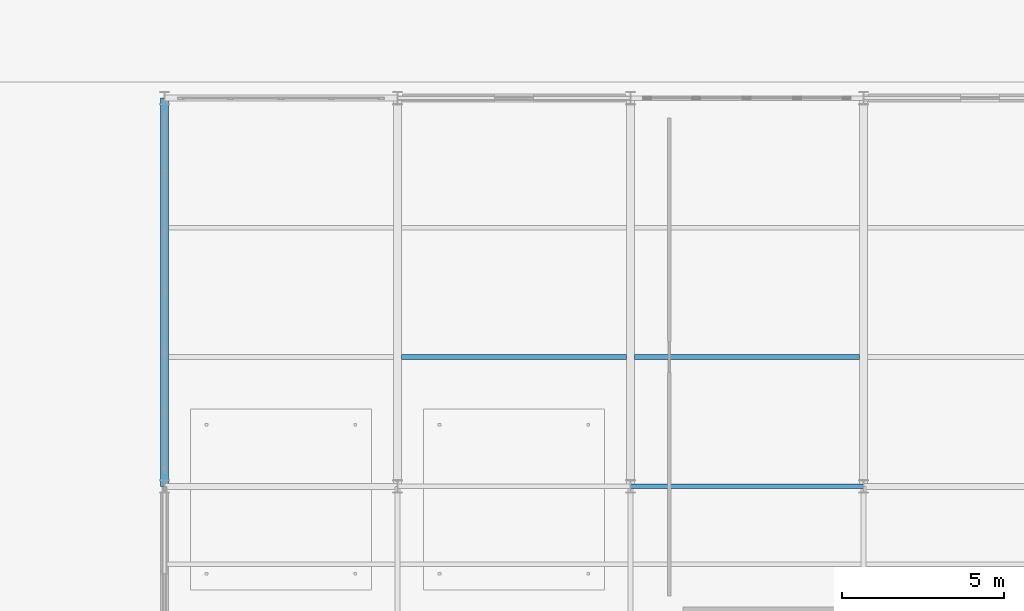
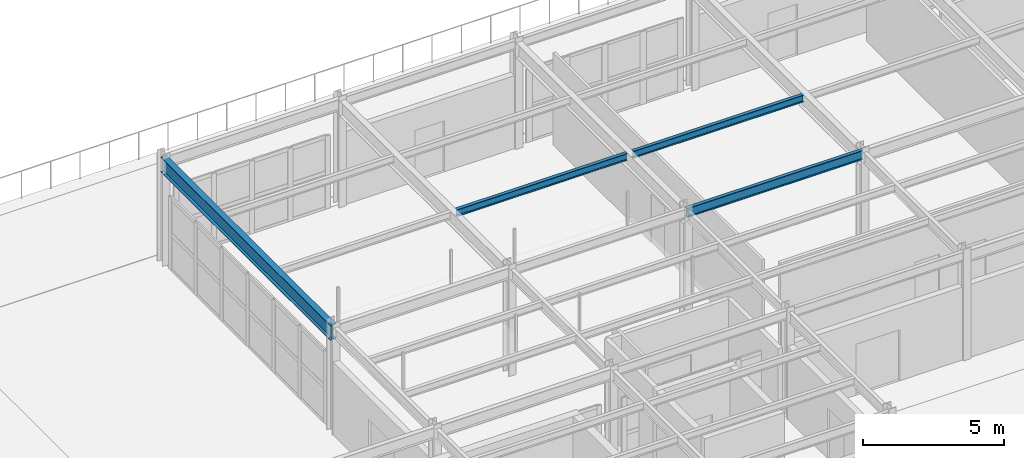
# One storey, part 15 of 41: 4 beams.
"""IFC4 building model written with IfcOpenShell, lengths in metres."""

from ifc_helpers import new_model, si_unit, direction, frame, origin, origin_2d, place, context, subcontext, project, spatial, i_section, extrude, material, material_profile, profile_set, type_object, element, save


model = new_model("IFC4")

# Units and contexts
model_context = context("Model", 3, precision=1e-05, world=origin(), true_north=direction((0.0, 1.0)))
body_context = subcontext(model_context, "Body", "Model", "MODEL_VIEW")
ifc_project = project(units=[si_unit("LENGTHUNIT", "METRE"), si_unit("AREAUNIT", "SQUARE_METRE"), si_unit("VOLUMEUNIT", "CUBIC_METRE"), si_unit("PLANEANGLEUNIT", "RADIAN"), si_unit("MASSUNIT", "GRAM", prefix="KILO")], contexts=[model_context])

# Site, building, storey
site_placement = place(None, origin())
site = spatial("IfcSite", under=ifc_project, at=site_placement, CompositionType="ELEMENT")
building_placement = place(site_placement, origin())
building = spatial("IfcBuilding", under=site, at=building_placement, Name="Solvadek Multi-Sports Hall", CompositionType="ELEMENT")
storey_placement = place(building_placement, frame((0.0, 0.0, 14.39990234375)))
storey = spatial("IfcBuildingStorey", under=building, at=storey_placement, Name="L03", CompositionType="ELEMENT", Elevation=14.39990234375)

# Beams
ifc_material = material(Name="Steel E350 (350 MPa)", Category="steel")
ifc_material_profile_1 = material_profile(ifc_material, i_section(OverallWidth=0.139892578125, OverallDepth=0.39990234375, WebThickness=0.0087890625, FlangeThickness=0.01611328125, at=origin_2d()), Name="ISMB 400")
ifc_profile_set_1 = profile_set([ifc_material_profile_1], Name="Steel E350 (350 MPa)")
beam_type_1 = type_object("IfcBeamType", Name="STR-BM-ISMB400", PredefinedType="BEAM", material=ifc_profile_set_1)
beam_1_placement = place(storey_placement, frame((28.800048828125, 92.39990234375, 4.400146484375), z_axis=(1.0, 0.0, 0.0), x_axis=(0.0, 1.0, 0.0)))
element("IfcBeam", 1, at=beam_1_placement, inside=storey, type_object=beam_type_1, Name="L03 Girder B-10 #1638", PredefinedType="BEAM", context=body_context, shape_type="SweptSolid", body=[
    extrude(i_section(OverallWidth=0.139892578125, OverallDepth=0.39990234375, WebThickness=0.0087890625, FlangeThickness=0.01611328125, at=origin_2d()), origin(), (0.0, 0.0, 1.0), 7.199951171875),
])
ifc_material_profile_2 = material_profile(ifc_material, i_section(OverallWidth=0.239990234375, OverallDepth=0.64990234375, WebThickness=0.0126953125, FlangeThickness=0.0205078125, at=origin_2d()), Name="NPB 650")
ifc_profile_set_2 = profile_set([ifc_material_profile_2], Name="Steel E350 (350 MPa)")
beam_type_2 = type_object("IfcBeamType", Name="STR-BM-NPB650", PredefinedType="BEAM", material=ifc_profile_set_2)
beam_2_placement = place(storey_placement, frame((14.39990234375, 92.39990234375, 4.275146484375), z_axis=(0.0, 1.0, 0.0), x_axis=(-1.0, 0.0, 0.0)))
element("IfcBeam", 2, at=beam_2_placement, inside=storey, type_object=beam_type_2, Name="L03 Girder B-03 #1657", PredefinedType="BEAM", context=body_context, shape_type="SweptSolid", body=[
    extrude(i_section(OverallWidth=0.239990234375, OverallDepth=0.64990234375, WebThickness=0.0126953125, FlangeThickness=0.0205078125, at=origin_2d()), origin(), (0.0, 0.0, 1.0), 12.0),
])
ifc_material_profile_3 = material_profile(ifc_material, i_section(OverallWidth=0.139892578125, OverallDepth=0.300048828125, WebThickness=0.0078125, FlangeThickness=0.01318359375, at=origin_2d()), Name="ISMB 300")
ifc_profile_set_3 = profile_set([ifc_material_profile_3], Name="Steel E350 (350 MPa)")
beam_type_3 = type_object("IfcBeamType", Name="STR-JST-ISMB300", PredefinedType="JOIST", material=ifc_profile_set_3)
for number, where, z_axis, x_axis, name in (
    (3, (21.719970703125, 96.39990234375, 4.4501953125), (1.0, 0.0, 0.0), (0.0, 1.0, 0.0), "L03 Composite Joist J-03 #936"),
    (4, (28.919921875, 96.39990234375, 4.4501953125), (1.0, 0.0, 0.0), (0.0, 1.0, 0.0), "L03 Composite Joist J-03 #938"),
):
    element("IfcBeam", number, at=place(storey_placement, frame(where, z_axis=z_axis, x_axis=x_axis)), inside=storey, type_object=beam_type_3, Name=name, PredefinedType="JOIST", context=body_context, shape_type="SweptSolid", body=[
        extrude(i_section(OverallWidth=0.139892578125, OverallDepth=0.300048828125, WebThickness=0.0078125, FlangeThickness=0.01318359375, at=origin_2d()), origin(), (0.0, 0.0, 1.0), 6.9599609375),
    ])

save(model, "model.ifc")
